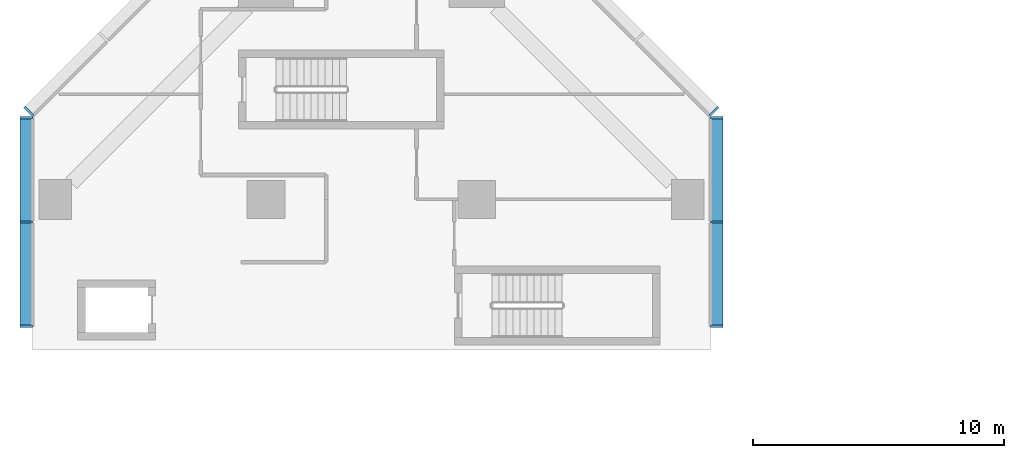
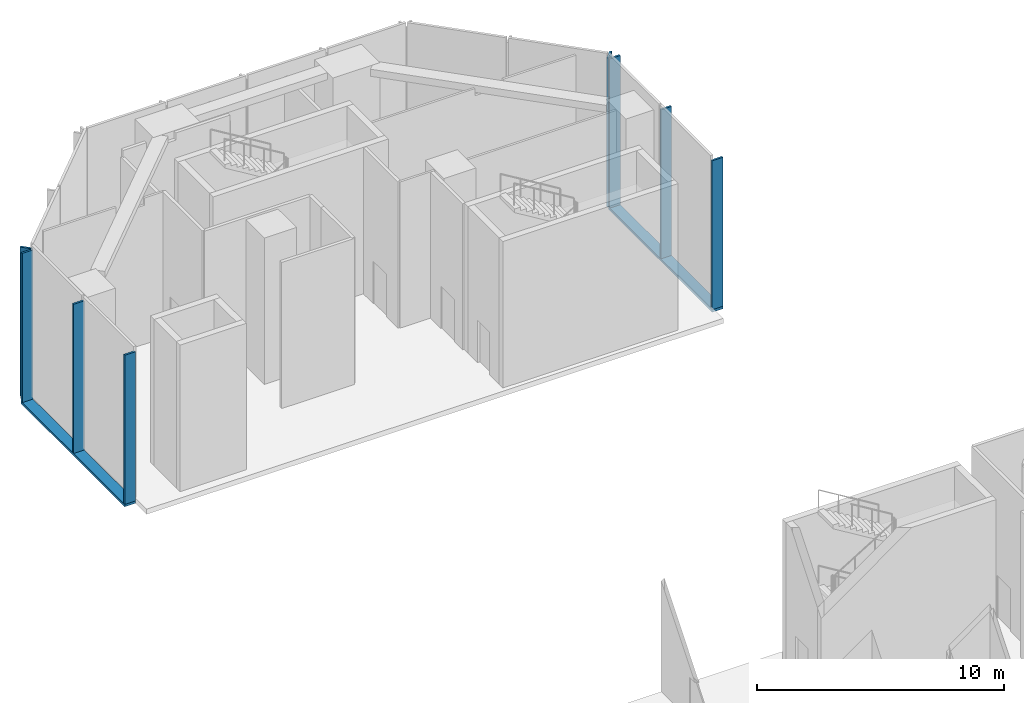
# One storey, part 5 of 22: 10 members, 4 elements without a shape of their own.
"""IFC4 building model written with IfcOpenShell, lengths in metres."""

from ifc_helpers import new_model, si_unit, direction, frame, origin, origin_2d, place, context, subcontext, project, spatial, rectangle, extrude, material, material_profile, profile_set, type_object, element, aggregate, save


model = new_model("IFC4")

# Units and contexts
model_context = context("Model", 3, precision=1e-05, world=origin(), true_north=direction((0.0, 1.0)))
body_context = subcontext(model_context, "Body", "Model", "MODEL_VIEW")
ifc_project = project(units=[si_unit("LENGTHUNIT", "METRE"), si_unit("AREAUNIT", "SQUARE_METRE"), si_unit("VOLUMEUNIT", "CUBIC_METRE"), si_unit("PLANEANGLEUNIT", "RADIAN"), si_unit("MASSUNIT", "GRAM", prefix="KILO")], contexts=[model_context])

# Site, building, storey
site_placement = place(None, origin())
site = spatial("IfcSite", under=ifc_project, at=site_placement, CompositionType="ELEMENT")
building_placement = place(site_placement, origin())
building = spatial("IfcBuilding", under=site, at=building_placement, Name="Brevane Broadcast Tower", CompositionType="ELEMENT")
storey_placement = place(building_placement, frame((0.0, 0.0, 20.0)))
storey = spatial("IfcBuildingStorey", under=building, at=storey_placement, Name="L03", CompositionType="ELEMENT", Elevation=20.0)

# Curtain wall, members
ifc_material = material(Name="Aluminium 6063-T6 bronze anodised", Category="aluminium")
curtain_wall_type = type_object("IfcCurtainWallType", Name="CW-2 curtain wall", PredefinedType="NOTDEFINED", material=ifc_material)
curtain_wall_1_placement = place(storey_placement, origin())
curtain_wall_1 = element("IfcCurtainWall", 1, at=curtain_wall_1_placement, inside=storey, type_object=curtain_wall_type, Name="CW-2 podium base unit L03 north arm east face", PredefinedType="NOTDEFINED")
ifc_material_profile_1 = material_profile(ifc_material, rectangle(XDim=0.5, YDim=0.090087890625, at=origin_2d()), Name="RECT 90x500")
ifc_profile_set_1 = profile_set([ifc_material_profile_1], Name="Aluminium 6063-T6 bronze anodised")
member_type_1 = type_object("IfcMemberType", Name="CW-2 mullion 90x500", PredefinedType="MULLION", material=ifc_profile_set_1)
member_1_placement = place(storey_placement, frame((26.35009765625, 53.7451171875, -0.1298828125), z_axis=(0.0, 0.0, 1.0), x_axis=(-1.0, 0.0, 0.0)))
member_1 = element("IfcMember", 2, at=member_1_placement, type_object=member_type_1, Name="CW-2 mullion", PredefinedType="MULLION", context=body_context, shape_type="SweptSolid", body=[
    extrude(rectangle(XDim=0.5, YDim=0.090087890625, at=origin_2d()), origin(), (0.0, 0.0, 1.0), 7.3798828125),
])
member_2_placement = place(storey_placement, frame((26.35009765625, 57.89990234375, -0.1298828125), z_axis=(0.0, 0.0, 1.0), x_axis=(-1.0, 0.0, 0.0)))
member_2 = element("IfcMember", 3, at=member_2_placement, type_object=member_type_1, Name="CW-2 mullion", PredefinedType="MULLION", context=body_context, shape_type="SweptSolid", body=[
    extrude(rectangle(XDim=0.5, YDim=0.090087890625, at=origin_2d()), origin(), (0.0, 0.0, 1.0), 7.3798828125),
])
member_3_placement = place(storey_placement, frame((26.35009765625, 62.054931640625, -0.1298828125), z_axis=(0.0, 0.0, 1.0), x_axis=(-1.0, 0.0, 0.0)))
member_3 = element("IfcMember", 4, at=member_3_placement, type_object=member_type_1, Name="CW-2 mullion", PredefinedType="MULLION", context=body_context, shape_type="SweptSolid", body=[
    extrude(rectangle(XDim=0.5, YDim=0.090087890625, at=origin_2d()), origin(), (0.0, 0.0, 1.0), 7.3798828125),
])

# Curtain wall, member
curtain_wall_2_placement = place(storey_placement, origin())
curtain_wall_2 = element("IfcCurtainWall", 5, at=curtain_wall_2_placement, inside=storey, type_object=curtain_wall_type, Name="CW-2 podium base unit L03 north arm north-east chamfer", PredefinedType="NOTDEFINED")
member_4_placement = place(storey_placement, frame((26.244873046875, 62.30859375, -0.1298828125), z_axis=(0.0, 0.0, 1.0), x_axis=(-0.707106781187, -0.707106781187, 0.0)))
member_4 = element("IfcMember", 6, at=member_4_placement, type_object=member_type_1, Name="CW-2 mullion", PredefinedType="MULLION", context=body_context, shape_type="SweptSolid", body=[
    extrude(rectangle(XDim=0.5, YDim=0.090087890625, at=origin_2d()), origin(), (0.0, 0.0, 1.0), 7.3798828125),
])
aggregate(curtain_wall_2, [member_4])

curtain_wall_3_placement = place(storey_placement, origin())
curtain_wall_3 = element("IfcCurtainWall", 7, at=curtain_wall_3_placement, inside=storey, type_object=curtain_wall_type, Name="CW-2 podium base unit L03 north-west chamfer", PredefinedType="NOTDEFINED")
member_5_placement = place(storey_placement, frame((-1.044921875, 62.30859375, -0.1298828125), z_axis=(0.0, 0.0, 1.0), x_axis=(0.707106781187, -0.707106781187, 0.0)))
member_5 = element("IfcMember", 8, at=member_5_placement, type_object=member_type_1, Name="CW-2 mullion", PredefinedType="MULLION", context=body_context, shape_type="SweptSolid", body=[
    extrude(rectangle(XDim=0.5, YDim=0.090087890625, at=origin_2d()), origin(), (0.0, 0.0, 1.0), 7.3798828125),
])
aggregate(curtain_wall_3, [member_5])

# Curtain wall, members
curtain_wall_4_placement = place(storey_placement, origin())
curtain_wall_4 = element("IfcCurtainWall", 9, at=curtain_wall_4_placement, inside=storey, type_object=curtain_wall_type, Name="CW-2 podium base unit L03 west face", PredefinedType="NOTDEFINED")
member_6_placement = place(storey_placement, frame((-1.14990234375, 62.054931640625, -0.1298828125), z_axis=(0.0, 0.0, 1.0), x_axis=(1.0, 0.0, 0.0)))
member_6 = element("IfcMember", 10, at=member_6_placement, type_object=member_type_1, Name="CW-2 mullion", PredefinedType="MULLION", context=body_context, shape_type="SweptSolid", body=[
    extrude(rectangle(XDim=0.5, YDim=0.090087890625, at=origin_2d()), origin(), (0.0, 0.0, 1.0), 7.3798828125),
])
member_7_placement = place(storey_placement, frame((-1.14990234375, 57.89990234375, -0.1298828125), z_axis=(0.0, 0.0, 1.0), x_axis=(1.0, 0.0, 0.0)))
member_7 = element("IfcMember", 11, at=member_7_placement, type_object=member_type_1, Name="CW-2 mullion", PredefinedType="MULLION", context=body_context, shape_type="SweptSolid", body=[
    extrude(rectangle(XDim=0.5, YDim=0.090087890625, at=origin_2d()), origin(), (0.0, 0.0, 1.0), 7.3798828125),
])
member_8_placement = place(storey_placement, frame((-1.14990234375, 53.7451171875, -0.1298828125), z_axis=(0.0, 0.0, 1.0), x_axis=(1.0, 0.0, 0.0)))
member_8 = element("IfcMember", 12, at=member_8_placement, type_object=member_type_1, Name="CW-2 mullion", PredefinedType="MULLION", context=body_context, shape_type="SweptSolid", body=[
    extrude(rectangle(XDim=0.5, YDim=0.090087890625, at=origin_2d()), origin(), (0.0, 0.0, 1.0), 7.3798828125),
])

# Member
ifc_material_profile_2 = material_profile(ifc_material, rectangle(XDim=0.5, YDim=0.1201171875, at=origin_2d()), Name="RECT 120x500")
ifc_profile_set_2 = profile_set([ifc_material_profile_2], Name="Aluminium 6063-T6 bronze anodised")
member_type_2 = type_object("IfcMemberType", Name="CW-2 transom 120x500", PredefinedType="USERDEFINED", material=ifc_profile_set_2)
member_9_placement = place(storey_placement, frame((26.35009765625, 53.699951171875, -0.18994140625), z_axis=(0.0, 1.0, 0.0), x_axis=(-1.0, 0.0, 0.0)))
member_9 = element("IfcMember", 13, at=member_9_placement, type_object=member_type_2, Name="CW-2 transom", ObjectType="TRANSOM", PredefinedType="USERDEFINED", context=body_context, shape_type="SweptSolid", body=[
    extrude(rectangle(XDim=0.5, YDim=0.1201171875, at=origin_2d()), origin(), (0.0, 0.0, 1.0), 8.400146484375),
])

aggregate(curtain_wall_1, [member_1, member_2, member_3, member_9])

member_10_placement = place(storey_placement, frame((-1.14990234375, 62.10009765625, -0.18994140625), z_axis=(0.0, -1.0, 0.0), x_axis=(1.0, 0.0, 0.0)))
member_10 = element("IfcMember", 14, at=member_10_placement, type_object=member_type_2, Name="CW-2 transom", ObjectType="TRANSOM", PredefinedType="USERDEFINED", context=body_context, shape_type="SweptSolid", body=[
    extrude(rectangle(XDim=0.5, YDim=0.1201171875, at=origin_2d()), origin(), (0.0, 0.0, 1.0), 8.400146484375),
])

aggregate(curtain_wall_4, [member_6, member_7, member_8, member_10])

save(model, "model.ifc")
